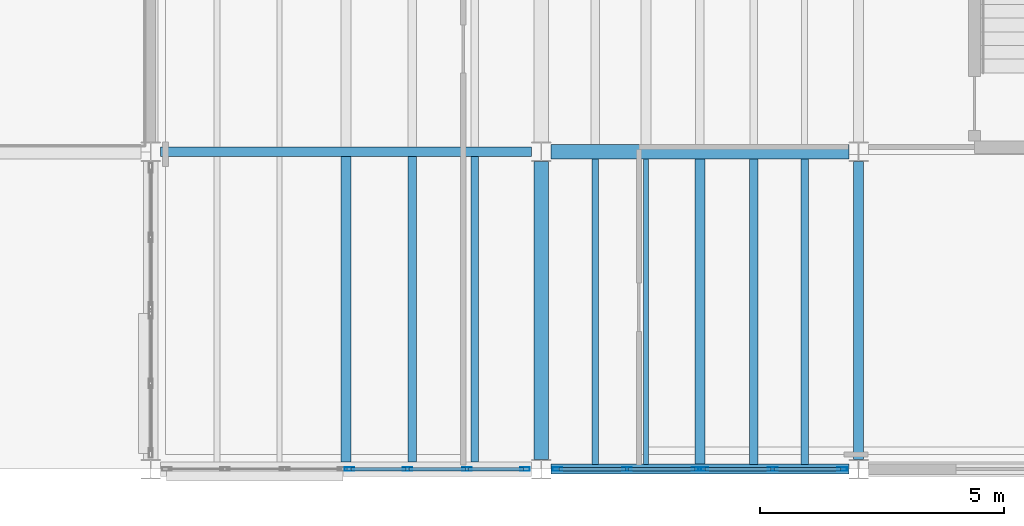
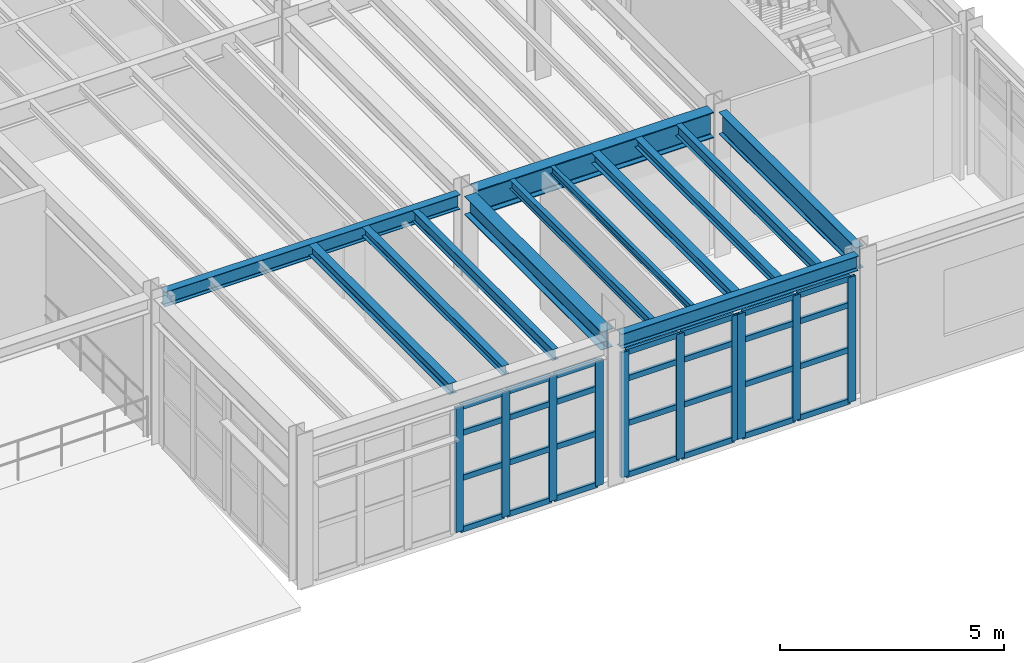
# One storey, part 35 of 78: 38 members, 13 beams, 3 elements without a shape of their own.
"""IFC4 building model written with IfcOpenShell, lengths in metres."""

from ifc_helpers import new_model, si_unit, direction, frame, origin, origin_2d, place, context, subcontext, project, spatial, hollow_rectangle, i_section, extrude, material, material_profile, profile_set, type_object, element, aggregate, save


model = new_model("IFC4")

# Units and contexts
model_context = context("Model", 3, precision=1e-05, world=origin(), true_north=direction((0.0, 1.0)))
body_context = subcontext(model_context, "Body", "Model", "MODEL_VIEW")
ifc_project = project(units=[si_unit("LENGTHUNIT", "METRE"), si_unit("AREAUNIT", "SQUARE_METRE"), si_unit("VOLUMEUNIT", "CUBIC_METRE"), si_unit("PLANEANGLEUNIT", "RADIAN"), si_unit("MASSUNIT", "GRAM", prefix="KILO"), si_unit("THERMODYNAMICTEMPERATUREUNIT", "KELVIN"), si_unit("POWERUNIT", "WATT")], contexts=[model_context])

# Site, building, storey
site_placement = place(None, origin())
site = spatial("IfcSite", under=ifc_project, at=site_placement, CompositionType="ELEMENT")
building_placement = place(site_placement, origin())
building = spatial("IfcBuilding", under=site, at=building_placement, Name="Zhenchuan Central Fire Station", CompositionType="ELEMENT")
storey_placement = place(building_placement, frame((0.0, 0.0, 5.85009765625)))
storey = spatial("IfcBuildingStorey", under=building, at=storey_placement, Name="L02", CompositionType="ELEMENT", Elevation=5.85009765625)

# Beams
ifc_material_1 = material(Name="Steel Q355B", Category="steel")
ifc_material_profile_1 = material_profile(ifc_material_1, i_section(OverallWidth=0.300048828125, OverallDepth=0.5, WebThickness=0.010986328125, FlangeThickness=0.01806640625, FilletRadius=0.02197265625, at=origin_2d()), Name="HM 500x300")
ifc_profile_set_1 = profile_set([ifc_material_profile_1], Name="Steel Q355B")
beam_type_1 = type_object("IfcBeamType", Name="BM-HM500-INT", PredefinedType="BEAM", material=ifc_profile_set_1)
beam_1_placement = place(storey_placement, frame((148.0, 0.199951171875, 3.7099609375), z_axis=(0.0, 1.0, 0.0), x_axis=(-1.0, 0.0, 0.0)))
element("IfcBeam", 1, at=beam_1_placement, inside=storey, type_object=beam_type_1, Name="L03 Girder NS 0325", PredefinedType="BEAM", context=body_context, shape_type="SweptSolid", body=[
    extrude(i_section(OverallWidth=0.300048828125, OverallDepth=0.5, WebThickness=0.010986328125, FlangeThickness=0.01806640625, FilletRadius=0.02197265625, at=origin_2d()), origin(), (0.0, 0.0, 1.0), 6.10009765625),
])
ifc_material_profile_2 = material_profile(ifc_material_1, i_section(OverallWidth=0.199951171875, OverallDepth=0.60009765625, WebThickness=0.010986328125, FlangeThickness=0.01708984375, FilletRadius=0.02197265625, at=origin_2d()), Name="HN 600x200")
ifc_profile_set_2 = profile_set([ifc_material_profile_2], Name="Steel Q355B")
beam_type_2 = type_object("IfcBeamType", Name="BM-HN600-INT", PredefinedType="BEAM", material=ifc_profile_set_2)
beam_2_placement = place(storey_placement, frame((154.5, 0.199951171875, 3.659912109375), z_axis=(0.0, 1.0, 0.0), x_axis=(-1.0, 0.0, 0.0)))
element("IfcBeam", 2, at=beam_2_placement, inside=storey, type_object=beam_type_2, Name="L03 Girder NS 0332", PredefinedType="BEAM", context=body_context, shape_type="SweptSolid", body=[
    extrude(i_section(OverallWidth=0.199951171875, OverallDepth=0.60009765625, WebThickness=0.010986328125, FlangeThickness=0.01708984375, FilletRadius=0.02197265625, at=origin_2d()), origin(), (0.0, 0.0, 1.0), 6.10009765625),
])
ifc_material_profile_3 = material_profile(ifc_material_1, i_section(OverallWidth=0.300048828125, OverallDepth=0.699951171875, WebThickness=0.012939453125, FlangeThickness=0.02392578125, FilletRadius=0.02392578125, at=origin_2d()), Name="HN 700x300")
ifc_profile_set_3 = profile_set([ifc_material_profile_3], Name="Steel Q355B")
beam_type_3 = type_object("IfcBeamType", Name="BM-HN700", PredefinedType="BEAM", material=ifc_profile_set_3)
beam_3_placement = place(storey_placement, frame((148.199951171875, 6.5, 3.60986328125), z_axis=(1.0, 0.0, 0.0), x_axis=(0.0, 1.0, 0.0)))
element("IfcBeam", 3, at=beam_3_placement, inside=storey, type_object=beam_type_3, Name="L03 Girder EW 0206", PredefinedType="BEAM", context=body_context, shape_type="SweptSolid", body=[
    extrude(i_section(OverallWidth=0.300048828125, OverallDepth=0.699951171875, WebThickness=0.012939453125, FlangeThickness=0.02392578125, FilletRadius=0.02392578125, at=origin_2d()), origin(), (0.0, 0.0, 1.0), 6.10009765625),
])

# Curtain wall, members
ifc_material_2 = material(Name="Anodised aluminium and low-E glazing", Category="aluminium")
curtain_wall_type_1 = type_object("IfcCurtainWallType", Name="CW-MOD-04", PredefinedType="USERDEFINED", material=ifc_material_2)
curtain_wall_1_placement = place(storey_placement, origin())
curtain_wall_1 = element("IfcCurtainWall", 4, at=curtain_wall_1_placement, inside=storey, type_object=curtain_wall_type_1, Name="L02 Unitised Curtain Wall 085", ObjectType="UNITISED GLAZING", PredefinedType="USERDEFINED")
ifc_material_3 = material(Name="Anodised aluminium EN AW-6063", Category="aluminium")
ifc_material_profile_4 = material_profile(ifc_material_3, hollow_rectangle(XDim=0.074951171875, YDim=0.199951171875, WallThickness=0.0048828125, at=origin_2d()), Name="ALU-M 200x75")
ifc_profile_set_4 = profile_set([ifc_material_profile_4], Name="Anodised aluminium EN AW-6063")
member_type_1 = type_object("IfcMemberType", Name="CW-MUL160", PredefinedType="MULLION", material=ifc_profile_set_4)
member_1_placement = place(storey_placement, frame((144.070556640625, 0.0, -0.004150390625), z_axis=(0.0, 0.0, 1.0), x_axis=(0.0, 1.0, 0.0)))
member_1 = element("IfcMember", 5, at=member_1_placement, type_object=member_type_1, Name="CW-04 mullion 1", PredefinedType="MULLION", context=body_context, shape_type="SweptSolid", body=[
    extrude(hollow_rectangle(XDim=0.074951171875, YDim=0.199951171875, WallThickness=0.0048828125, at=origin_2d()), origin(), (0.0, 0.0, 1.0), 3.404052734375),
])
member_2_placement = place(storey_placement, frame((145.258544921875, 0.0, -0.004150390625), z_axis=(0.0, 0.0, 1.0), x_axis=(0.0, 1.0, 0.0)))
member_2 = element("IfcMember", 6, at=member_2_placement, type_object=member_type_1, Name="CW-04 mullion 2", PredefinedType="MULLION", context=body_context, shape_type="SweptSolid", body=[
    extrude(hollow_rectangle(XDim=0.074951171875, YDim=0.199951171875, WallThickness=0.0048828125, at=origin_2d()), origin(), (0.0, 0.0, 1.0), 3.404052734375),
])
member_3_placement = place(storey_placement, frame((146.479248046875, 0.0, -0.004150390625), z_axis=(0.0, 0.0, 1.0), x_axis=(0.0, 1.0, 0.0)))
member_3 = element("IfcMember", 7, at=member_3_placement, type_object=member_type_1, Name="CW-04 mullion 3", PredefinedType="MULLION", context=body_context, shape_type="SweptSolid", body=[
    extrude(hollow_rectangle(XDim=0.074951171875, YDim=0.199951171875, WallThickness=0.0048828125, at=origin_2d()), origin(), (0.0, 0.0, 1.0), 3.404052734375),
])
member_4_placement = place(storey_placement, frame((147.66748046875, 0.0, -0.004150390625), z_axis=(0.0, 0.0, 1.0), x_axis=(0.0, 1.0, 0.0)))
member_4 = element("IfcMember", 8, at=member_4_placement, type_object=member_type_1, Name="CW-04 mullion 4", PredefinedType="MULLION", context=body_context, shape_type="SweptSolid", body=[
    extrude(hollow_rectangle(XDim=0.074951171875, YDim=0.199951171875, WallThickness=0.0048828125, at=origin_2d()), origin(), (0.0, 0.0, 1.0), 3.404052734375),
])

curtain_wall_2_placement = place(storey_placement, origin())
curtain_wall_2 = element("IfcCurtainWall", 9, at=curtain_wall_2_placement, inside=storey, type_object=curtain_wall_type_1, Name="L02 Unitised Curtain Wall 086", ObjectType="UNITISED GLAZING", PredefinedType="USERDEFINED")
member_5_placement = place(storey_placement, frame((148.33251953125, 0.0, -0.004150390625), z_axis=(0.0, 0.0, 1.0), x_axis=(0.0, 1.0, 0.0)))
member_5 = element("IfcMember", 10, at=member_5_placement, type_object=member_type_1, Name="CW-04 mullion 1", PredefinedType="MULLION", context=body_context, shape_type="SweptSolid", body=[
    extrude(hollow_rectangle(XDim=0.074951171875, YDim=0.199951171875, WallThickness=0.0048828125, at=origin_2d()), origin(), (0.0, 0.0, 1.0), 3.404052734375),
])
member_6_placement = place(storey_placement, frame((149.756103515625, 0.0, -0.004150390625), z_axis=(0.0, 0.0, 1.0), x_axis=(0.0, 1.0, 0.0)))
member_6 = element("IfcMember", 11, at=member_6_placement, type_object=member_type_1, Name="CW-04 mullion 2", PredefinedType="MULLION", context=body_context, shape_type="SweptSolid", body=[
    extrude(hollow_rectangle(XDim=0.074951171875, YDim=0.199951171875, WallThickness=0.0048828125, at=origin_2d()), origin(), (0.0, 0.0, 1.0), 3.404052734375),
])
member_7_placement = place(storey_placement, frame((151.179443359375, 0.0, -0.004150390625), z_axis=(0.0, 0.0, 1.0), x_axis=(0.0, 1.0, 0.0)))
member_7 = element("IfcMember", 12, at=member_7_placement, type_object=member_type_1, Name="CW-04 mullion 3", PredefinedType="MULLION", context=body_context, shape_type="SweptSolid", body=[
    extrude(hollow_rectangle(XDim=0.074951171875, YDim=0.199951171875, WallThickness=0.0048828125, at=origin_2d()), origin(), (0.0, 0.0, 1.0), 3.404052734375),
])

curtain_wall_type_2 = type_object("IfcCurtainWallType", Name="CW-MOD-05", PredefinedType="USERDEFINED", material=ifc_material_2)
curtain_wall_3_placement = place(storey_placement, origin())
curtain_wall_3 = element("IfcCurtainWall", 13, at=curtain_wall_3_placement, inside=storey, type_object=curtain_wall_type_2, Name="L02 Unitised Curtain Wall 087", ObjectType="UNITISED GLAZING", PredefinedType="USERDEFINED")
member_8_placement = place(storey_placement, frame((151.320556640625, 0.0, -0.004150390625), z_axis=(0.0, 0.0, 1.0), x_axis=(0.0, 1.0, 0.0)))
member_8 = element("IfcMember", 14, at=member_8_placement, type_object=member_type_1, Name="CW-05 mullion 1", PredefinedType="MULLION", context=body_context, shape_type="SweptSolid", body=[
    extrude(hollow_rectangle(XDim=0.074951171875, YDim=0.199951171875, WallThickness=0.0048828125, at=origin_2d()), origin(), (0.0, 0.0, 1.0), 3.404052734375),
])
member_9_placement = place(storey_placement, frame((152.743896484375, 0.0, -0.004150390625), z_axis=(0.0, 0.0, 1.0), x_axis=(0.0, 1.0, 0.0)))
member_9 = element("IfcMember", 15, at=member_9_placement, type_object=member_type_1, Name="CW-05 mullion 2", PredefinedType="MULLION", context=body_context, shape_type="SweptSolid", body=[
    extrude(hollow_rectangle(XDim=0.074951171875, YDim=0.199951171875, WallThickness=0.0048828125, at=origin_2d()), origin(), (0.0, 0.0, 1.0), 3.404052734375),
])
member_10_placement = place(storey_placement, frame((154.16748046875, 0.0, -0.004150390625), z_axis=(0.0, 0.0, 1.0), x_axis=(0.0, 1.0, 0.0)))
member_10 = element("IfcMember", 16, at=member_10_placement, type_object=member_type_1, Name="CW-05 mullion 3", PredefinedType="MULLION", context=body_context, shape_type="SweptSolid", body=[
    extrude(hollow_rectangle(XDim=0.074951171875, YDim=0.199951171875, WallThickness=0.0048828125, at=origin_2d()), origin(), (0.0, 0.0, 1.0), 3.404052734375),
])

# Member
ifc_material_profile_5 = material_profile(ifc_material_3, hollow_rectangle(XDim=0.074951171875, YDim=0.14990234375, WallThickness=0.0048828125, at=origin_2d()), Name="ALU-T 150x75")
ifc_profile_set_5 = profile_set([ifc_material_profile_5], Name="Anodised aluminium EN AW-6063")
member_type_2 = type_object("IfcMemberType", Name="CW-TRN130", PredefinedType="NOTDEFINED", material=ifc_profile_set_5)
member_11_placement = place(storey_placement, frame((144.10302734375, 0.0, 0.0283203125), z_axis=(1.0, 0.0, 0.0), x_axis=(0.0, 1.0, 0.0)))
member_11 = element("IfcMember", 17, at=member_11_placement, type_object=member_type_2, Name="CW-04 transom 1.1", ObjectType="TRANSOM", PredefinedType="USERDEFINED", context=body_context, shape_type="SweptSolid", body=[
    extrude(hollow_rectangle(XDim=0.074951171875, YDim=0.14990234375, WallThickness=0.0048828125, at=origin_2d()), origin(), (0.0, 0.0, 1.0), 1.123046875),
])

member_12_placement = place(storey_placement, frame((144.10302734375, 0.0, 1.427978515625), z_axis=(1.0, 0.0, 0.0), x_axis=(0.0, 1.0, 0.0)))
member_12 = element("IfcMember", 18, at=member_12_placement, type_object=member_type_2, Name="CW-04 transom 1.2", ObjectType="TRANSOM", PredefinedType="USERDEFINED", context=body_context, shape_type="SweptSolid", body=[
    extrude(hollow_rectangle(XDim=0.074951171875, YDim=0.14990234375, WallThickness=0.0048828125, at=origin_2d()), origin(), (0.0, 0.0, 1.0), 1.123046875),
])

member_13_placement = place(storey_placement, frame((144.10302734375, 0.0, 2.65185546875), z_axis=(1.0, 0.0, 0.0), x_axis=(0.0, 1.0, 0.0)))
member_13 = element("IfcMember", 19, at=member_13_placement, type_object=member_type_2, Name="CW-04 transom 1.3", ObjectType="TRANSOM", PredefinedType="USERDEFINED", context=body_context, shape_type="SweptSolid", body=[
    extrude(hollow_rectangle(XDim=0.074951171875, YDim=0.14990234375, WallThickness=0.0048828125, at=origin_2d()), origin(), (0.0, 0.0, 1.0), 1.123046875),
])

member_14_placement = place(storey_placement, frame((144.10302734375, 0.0, 3.367431640625), z_axis=(1.0, 0.0, 0.0), x_axis=(0.0, 1.0, 0.0)))
member_14 = element("IfcMember", 20, at=member_14_placement, type_object=member_type_2, Name="CW-04 transom 1.4", ObjectType="TRANSOM", PredefinedType="USERDEFINED", context=body_context, shape_type="SweptSolid", body=[
    extrude(hollow_rectangle(XDim=0.074951171875, YDim=0.14990234375, WallThickness=0.0048828125, at=origin_2d()), origin(), (0.0, 0.0, 1.0), 1.123046875),
])

member_15_placement = place(storey_placement, frame((145.291259765625, 0.0, 0.0283203125), z_axis=(1.0, 0.0, 0.0), x_axis=(0.0, 1.0, 0.0)))
member_15 = element("IfcMember", 21, at=member_15_placement, type_object=member_type_2, Name="CW-04 transom 2.1", ObjectType="TRANSOM", PredefinedType="USERDEFINED", context=body_context, shape_type="SweptSolid", body=[
    extrude(hollow_rectangle(XDim=0.074951171875, YDim=0.14990234375, WallThickness=0.0048828125, at=origin_2d()), origin(), (0.0, 0.0, 1.0), 1.155517578125),
])

member_16_placement = place(storey_placement, frame((145.291259765625, 0.0, 1.427978515625), z_axis=(1.0, 0.0, 0.0), x_axis=(0.0, 1.0, 0.0)))
member_16 = element("IfcMember", 22, at=member_16_placement, type_object=member_type_2, Name="CW-04 transom 2.2", ObjectType="TRANSOM", PredefinedType="USERDEFINED", context=body_context, shape_type="SweptSolid", body=[
    extrude(hollow_rectangle(XDim=0.074951171875, YDim=0.14990234375, WallThickness=0.0048828125, at=origin_2d()), origin(), (0.0, 0.0, 1.0), 1.155517578125),
])

member_17_placement = place(storey_placement, frame((145.291259765625, 0.0, 2.65185546875), z_axis=(1.0, 0.0, 0.0), x_axis=(0.0, 1.0, 0.0)))
member_17 = element("IfcMember", 23, at=member_17_placement, type_object=member_type_2, Name="CW-04 transom 2.3", ObjectType="TRANSOM", PredefinedType="USERDEFINED", context=body_context, shape_type="SweptSolid", body=[
    extrude(hollow_rectangle(XDim=0.074951171875, YDim=0.14990234375, WallThickness=0.0048828125, at=origin_2d()), origin(), (0.0, 0.0, 1.0), 1.155517578125),
])

member_18_placement = place(storey_placement, frame((145.291259765625, 0.0, 3.367431640625), z_axis=(1.0, 0.0, 0.0), x_axis=(0.0, 1.0, 0.0)))
member_18 = element("IfcMember", 24, at=member_18_placement, type_object=member_type_2, Name="CW-04 transom 2.4", ObjectType="TRANSOM", PredefinedType="USERDEFINED", context=body_context, shape_type="SweptSolid", body=[
    extrude(hollow_rectangle(XDim=0.074951171875, YDim=0.14990234375, WallThickness=0.0048828125, at=origin_2d()), origin(), (0.0, 0.0, 1.0), 1.155517578125),
])

member_19_placement = place(storey_placement, frame((146.51171875, 0.0, 0.0283203125), z_axis=(1.0, 0.0, 0.0), x_axis=(0.0, 1.0, 0.0)))
member_19 = element("IfcMember", 25, at=member_19_placement, type_object=member_type_2, Name="CW-04 transom 3.1", ObjectType="TRANSOM", PredefinedType="USERDEFINED", context=body_context, shape_type="SweptSolid", body=[
    extrude(hollow_rectangle(XDim=0.074951171875, YDim=0.14990234375, WallThickness=0.0048828125, at=origin_2d()), origin(), (0.0, 0.0, 1.0), 1.123291015625),
])

member_20_placement = place(storey_placement, frame((146.51171875, 0.0, 1.427978515625), z_axis=(1.0, 0.0, 0.0), x_axis=(0.0, 1.0, 0.0)))
member_20 = element("IfcMember", 26, at=member_20_placement, type_object=member_type_2, Name="CW-04 transom 3.2", ObjectType="TRANSOM", PredefinedType="USERDEFINED", context=body_context, shape_type="SweptSolid", body=[
    extrude(hollow_rectangle(XDim=0.074951171875, YDim=0.14990234375, WallThickness=0.0048828125, at=origin_2d()), origin(), (0.0, 0.0, 1.0), 1.123291015625),
])

member_21_placement = place(storey_placement, frame((146.51171875, 0.0, 2.65185546875), z_axis=(1.0, 0.0, 0.0), x_axis=(0.0, 1.0, 0.0)))
member_21 = element("IfcMember", 27, at=member_21_placement, type_object=member_type_2, Name="CW-04 transom 3.3", ObjectType="TRANSOM", PredefinedType="USERDEFINED", context=body_context, shape_type="SweptSolid", body=[
    extrude(hollow_rectangle(XDim=0.074951171875, YDim=0.14990234375, WallThickness=0.0048828125, at=origin_2d()), origin(), (0.0, 0.0, 1.0), 1.123291015625),
])

member_22_placement = place(storey_placement, frame((146.51171875, 0.0, 3.367431640625), z_axis=(1.0, 0.0, 0.0), x_axis=(0.0, 1.0, 0.0)))
member_22 = element("IfcMember", 28, at=member_22_placement, type_object=member_type_2, Name="CW-04 transom 3.4", ObjectType="TRANSOM", PredefinedType="USERDEFINED", context=body_context, shape_type="SweptSolid", body=[
    extrude(hollow_rectangle(XDim=0.074951171875, YDim=0.14990234375, WallThickness=0.0048828125, at=origin_2d()), origin(), (0.0, 0.0, 1.0), 1.123291015625),
])

aggregate(curtain_wall_1, [member_1, member_2, member_3, member_4, member_11, member_12, member_13, member_14, member_15, member_16, member_17, member_18, member_19, member_20, member_21, member_22])

member_23_placement = place(storey_placement, frame((148.364990234375, 0.0, 0.0283203125), z_axis=(1.0, 0.0, 0.0), x_axis=(0.0, 1.0, 0.0)))
member_23 = element("IfcMember", 29, at=member_23_placement, type_object=member_type_2, Name="CW-04 transom 1.1", ObjectType="TRANSOM", PredefinedType="USERDEFINED", context=body_context, shape_type="SweptSolid", body=[
    extrude(hollow_rectangle(XDim=0.074951171875, YDim=0.14990234375, WallThickness=0.0048828125, at=origin_2d()), origin(), (0.0, 0.0, 1.0), 1.3583984375),
])

member_24_placement = place(storey_placement, frame((148.364990234375, 0.0, 1.427978515625), z_axis=(1.0, 0.0, 0.0), x_axis=(0.0, 1.0, 0.0)))
member_24 = element("IfcMember", 30, at=member_24_placement, type_object=member_type_2, Name="CW-04 transom 1.2", ObjectType="TRANSOM", PredefinedType="USERDEFINED", context=body_context, shape_type="SweptSolid", body=[
    extrude(hollow_rectangle(XDim=0.074951171875, YDim=0.14990234375, WallThickness=0.0048828125, at=origin_2d()), origin(), (0.0, 0.0, 1.0), 1.3583984375),
])

member_25_placement = place(storey_placement, frame((148.364990234375, 0.0, 2.65185546875), z_axis=(1.0, 0.0, 0.0), x_axis=(0.0, 1.0, 0.0)))
member_25 = element("IfcMember", 31, at=member_25_placement, type_object=member_type_2, Name="CW-04 transom 1.3", ObjectType="TRANSOM", PredefinedType="USERDEFINED", context=body_context, shape_type="SweptSolid", body=[
    extrude(hollow_rectangle(XDim=0.074951171875, YDim=0.14990234375, WallThickness=0.0048828125, at=origin_2d()), origin(), (0.0, 0.0, 1.0), 1.3583984375),
])

member_26_placement = place(storey_placement, frame((148.364990234375, 0.0, 3.367431640625), z_axis=(1.0, 0.0, 0.0), x_axis=(0.0, 1.0, 0.0)))
member_26 = element("IfcMember", 32, at=member_26_placement, type_object=member_type_2, Name="CW-04 transom 1.4", ObjectType="TRANSOM", PredefinedType="USERDEFINED", context=body_context, shape_type="SweptSolid", body=[
    extrude(hollow_rectangle(XDim=0.074951171875, YDim=0.14990234375, WallThickness=0.0048828125, at=origin_2d()), origin(), (0.0, 0.0, 1.0), 1.3583984375),
])

member_27_placement = place(storey_placement, frame((149.78857421875, 0.0, 0.0283203125), z_axis=(1.0, 0.0, 0.0), x_axis=(0.0, 1.0, 0.0)))
member_27 = element("IfcMember", 33, at=member_27_placement, type_object=member_type_2, Name="CW-04 transom 2.1", ObjectType="TRANSOM", PredefinedType="USERDEFINED", context=body_context, shape_type="SweptSolid", body=[
    extrude(hollow_rectangle(XDim=0.074951171875, YDim=0.14990234375, WallThickness=0.0048828125, at=origin_2d()), origin(), (0.0, 0.0, 1.0), 1.3583984375),
])

member_28_placement = place(storey_placement, frame((149.78857421875, 0.0, 1.427978515625), z_axis=(1.0, 0.0, 0.0), x_axis=(0.0, 1.0, 0.0)))
member_28 = element("IfcMember", 34, at=member_28_placement, type_object=member_type_2, Name="CW-04 transom 2.2", ObjectType="TRANSOM", PredefinedType="USERDEFINED", context=body_context, shape_type="SweptSolid", body=[
    extrude(hollow_rectangle(XDim=0.074951171875, YDim=0.14990234375, WallThickness=0.0048828125, at=origin_2d()), origin(), (0.0, 0.0, 1.0), 1.3583984375),
])

member_29_placement = place(storey_placement, frame((149.78857421875, 0.0, 2.65185546875), z_axis=(1.0, 0.0, 0.0), x_axis=(0.0, 1.0, 0.0)))
member_29 = element("IfcMember", 35, at=member_29_placement, type_object=member_type_2, Name="CW-04 transom 2.3", ObjectType="TRANSOM", PredefinedType="USERDEFINED", context=body_context, shape_type="SweptSolid", body=[
    extrude(hollow_rectangle(XDim=0.074951171875, YDim=0.14990234375, WallThickness=0.0048828125, at=origin_2d()), origin(), (0.0, 0.0, 1.0), 1.3583984375),
])

member_30_placement = place(storey_placement, frame((149.78857421875, 0.0, 3.367431640625), z_axis=(1.0, 0.0, 0.0), x_axis=(0.0, 1.0, 0.0)))
member_30 = element("IfcMember", 36, at=member_30_placement, type_object=member_type_2, Name="CW-04 transom 2.4", ObjectType="TRANSOM", PredefinedType="USERDEFINED", context=body_context, shape_type="SweptSolid", body=[
    extrude(hollow_rectangle(XDim=0.074951171875, YDim=0.14990234375, WallThickness=0.0048828125, at=origin_2d()), origin(), (0.0, 0.0, 1.0), 1.3583984375),
])

aggregate(curtain_wall_2, [member_5, member_6, member_7, member_23, member_24, member_25, member_26, member_27, member_28, member_29, member_30])

member_31_placement = place(storey_placement, frame((151.35302734375, 0.0, 0.0283203125), z_axis=(1.0, 0.0, 0.0), x_axis=(0.0, 1.0, 0.0)))
member_31 = element("IfcMember", 37, at=member_31_placement, type_object=member_type_2, Name="CW-05 transom 1.1", ObjectType="TRANSOM", PredefinedType="USERDEFINED", context=body_context, shape_type="SweptSolid", body=[
    extrude(hollow_rectangle(XDim=0.074951171875, YDim=0.14990234375, WallThickness=0.0048828125, at=origin_2d()), origin(), (0.0, 0.0, 1.0), 1.3583984375),
])

member_32_placement = place(storey_placement, frame((151.35302734375, 0.0, 1.427978515625), z_axis=(1.0, 0.0, 0.0), x_axis=(0.0, 1.0, 0.0)))
member_32 = element("IfcMember", 38, at=member_32_placement, type_object=member_type_2, Name="CW-05 transom 1.2", ObjectType="TRANSOM", PredefinedType="USERDEFINED", context=body_context, shape_type="SweptSolid", body=[
    extrude(hollow_rectangle(XDim=0.074951171875, YDim=0.14990234375, WallThickness=0.0048828125, at=origin_2d()), origin(), (0.0, 0.0, 1.0), 1.3583984375),
])

member_33_placement = place(storey_placement, frame((151.35302734375, 0.0, 2.65185546875), z_axis=(1.0, 0.0, 0.0), x_axis=(0.0, 1.0, 0.0)))
member_33 = element("IfcMember", 39, at=member_33_placement, type_object=member_type_2, Name="CW-05 transom 1.3", ObjectType="TRANSOM", PredefinedType="USERDEFINED", context=body_context, shape_type="SweptSolid", body=[
    extrude(hollow_rectangle(XDim=0.074951171875, YDim=0.14990234375, WallThickness=0.0048828125, at=origin_2d()), origin(), (0.0, 0.0, 1.0), 1.3583984375),
])

member_34_placement = place(storey_placement, frame((151.35302734375, 0.0, 3.367431640625), z_axis=(1.0, 0.0, 0.0), x_axis=(0.0, 1.0, 0.0)))
member_34 = element("IfcMember", 40, at=member_34_placement, type_object=member_type_2, Name="CW-05 transom 1.4", ObjectType="TRANSOM", PredefinedType="USERDEFINED", context=body_context, shape_type="SweptSolid", body=[
    extrude(hollow_rectangle(XDim=0.074951171875, YDim=0.14990234375, WallThickness=0.0048828125, at=origin_2d()), origin(), (0.0, 0.0, 1.0), 1.3583984375),
])

member_35_placement = place(storey_placement, frame((152.776611328125, 0.0, 0.0283203125), z_axis=(1.0, 0.0, 0.0), x_axis=(0.0, 1.0, 0.0)))
member_35 = element("IfcMember", 41, at=member_35_placement, type_object=member_type_2, Name="CW-05 transom 2.1", ObjectType="TRANSOM", PredefinedType="USERDEFINED", context=body_context, shape_type="SweptSolid", body=[
    extrude(hollow_rectangle(XDim=0.074951171875, YDim=0.14990234375, WallThickness=0.0048828125, at=origin_2d()), origin(), (0.0, 0.0, 1.0), 1.3583984375),
])

member_36_placement = place(storey_placement, frame((152.776611328125, 0.0, 1.427978515625), z_axis=(1.0, 0.0, 0.0), x_axis=(0.0, 1.0, 0.0)))
member_36 = element("IfcMember", 42, at=member_36_placement, type_object=member_type_2, Name="CW-05 transom 2.2", ObjectType="TRANSOM", PredefinedType="USERDEFINED", context=body_context, shape_type="SweptSolid", body=[
    extrude(hollow_rectangle(XDim=0.074951171875, YDim=0.14990234375, WallThickness=0.0048828125, at=origin_2d()), origin(), (0.0, 0.0, 1.0), 1.3583984375),
])

member_37_placement = place(storey_placement, frame((152.776611328125, 0.0, 2.65185546875), z_axis=(1.0, 0.0, 0.0), x_axis=(0.0, 1.0, 0.0)))
member_37 = element("IfcMember", 43, at=member_37_placement, type_object=member_type_2, Name="CW-05 transom 2.3", ObjectType="TRANSOM", PredefinedType="USERDEFINED", context=body_context, shape_type="SweptSolid", body=[
    extrude(hollow_rectangle(XDim=0.074951171875, YDim=0.14990234375, WallThickness=0.0048828125, at=origin_2d()), origin(), (0.0, 0.0, 1.0), 1.3583984375),
])

member_38_placement = place(storey_placement, frame((152.776611328125, 0.0, 3.367431640625), z_axis=(1.0, 0.0, 0.0), x_axis=(0.0, 1.0, 0.0)))
member_38 = element("IfcMember", 44, at=member_38_placement, type_object=member_type_2, Name="CW-05 transom 2.4", ObjectType="TRANSOM", PredefinedType="USERDEFINED", context=body_context, shape_type="SweptSolid", body=[
    extrude(hollow_rectangle(XDim=0.074951171875, YDim=0.14990234375, WallThickness=0.0048828125, at=origin_2d()), origin(), (0.0, 0.0, 1.0), 1.3583984375),
])

aggregate(curtain_wall_3, [member_8, member_9, member_10, member_31, member_32, member_33, member_34, member_35, member_36, member_37, member_38])

# Beams
ifc_material_profile_6 = material_profile(ifc_material_1, i_section(OverallWidth=0.175048828125, OverallDepth=0.243896484375, WebThickness=0.007080078125, FlangeThickness=0.010986328125, FilletRadius=0.012939453125, at=origin_2d()), Name="HM 244x175")
ifc_profile_set_6 = profile_set([ifc_material_profile_6], Name="Steel Q355B")
beam_type_4 = type_object("IfcBeamType", Name="JS-HM244", PredefinedType="JOIST", material=ifc_profile_set_6)
for number, where, z_axis, x_axis, name in (
    (45, (145.360107421875, 0.14697265625, 3.837890625), (0.0, 1.0, 0.0), (-1.0, 0.0, 0.0), "L03 Secondary Joist 0320"),
    (46, (152.35498046875, 0.096923828125, 3.837890625), (0.0, 1.0, 0.0), (-1.0, 0.0, 0.0), "L03 Secondary Joist 0325"),
):
    element("IfcBeam", number, at=place(storey_placement, frame(where, z_axis=z_axis, x_axis=x_axis)), inside=storey, type_object=beam_type_4, Name=name, PredefinedType="JOIST", context=body_context, shape_type="SweptSolid", body=[
        extrude(i_section(OverallWidth=0.175048828125, OverallDepth=0.243896484375, WebThickness=0.007080078125, FlangeThickness=0.010986328125, FilletRadius=0.012939453125, at=origin_2d()), origin(), (0.0, 0.0, 1.0), 6.256103515625),
    ])
ifc_material_profile_7 = material_profile(ifc_material_1, i_section(OverallWidth=0.199951171875, OverallDepth=0.2939453125, WebThickness=0.008056640625, FlangeThickness=0.011962890625, FilletRadius=0.01611328125, at=origin_2d()), Name="HM 294x200")
ifc_profile_set_7 = profile_set([ifc_material_profile_7], Name="Steel Q355B")
beam_type_5 = type_object("IfcBeamType", Name="JS-HM294", PredefinedType="JOIST", material=ifc_profile_set_7)
for number, where, z_axis, x_axis, name in (
    (47, (144.0, 0.14697265625, 3.81298828125), (0.0, 1.0, 0.0), (-1.0, 0.0, 0.0), "L03 Secondary Joist 0319"),
    (48, (151.25, 0.096923828125, 3.81298828125), (0.0, 1.0, 0.0), (-1.0, 0.0, 0.0), "L03 Secondary Joist 0324"),
):
    element("IfcBeam", number, at=place(storey_placement, frame(where, z_axis=z_axis, x_axis=x_axis)), inside=storey, type_object=beam_type_5, Name=name, PredefinedType="JOIST", context=body_context, shape_type="SweptSolid", body=[
        extrude(i_section(OverallWidth=0.199951171875, OverallDepth=0.2939453125, WebThickness=0.008056640625, FlangeThickness=0.011962890625, FilletRadius=0.01611328125, at=origin_2d()), origin(), (0.0, 0.0, 1.0), 6.256103515625),
    ])
ifc_material_profile_8 = material_profile(ifc_material_1, i_section(OverallWidth=0.10009765625, OverallDepth=0.199951171875, WebThickness=0.005615234375, FlangeThickness=0.008056640625, FilletRadius=0.010986328125, at=origin_2d()), Name="HN 200x100")
ifc_profile_set_8 = profile_set([ifc_material_profile_8], Name="Steel Q355B")
beam_type_6 = type_object("IfcBeamType", Name="JS-HN200", PredefinedType="JOIST", material=ifc_profile_set_8)
beam_4_placement = place(storey_placement, frame((150.14501953125, 0.096923828125, 3.85986328125), z_axis=(0.0, 1.0, 0.0), x_axis=(-1.0, 0.0, 0.0)))
element("IfcBeam", 49, at=beam_4_placement, inside=storey, type_object=beam_type_6, Name="L03 Secondary Joist 0323", PredefinedType="JOIST", context=body_context, shape_type="SweptSolid", body=[
    extrude(i_section(OverallWidth=0.10009765625, OverallDepth=0.199951171875, WebThickness=0.005615234375, FlangeThickness=0.008056640625, FilletRadius=0.010986328125, at=origin_2d()), origin(), (0.0, 0.0, 1.0), 6.256103515625),
])
ifc_material_profile_9 = material_profile(ifc_material_1, i_section(OverallWidth=0.125, OverallDepth=0.25, WebThickness=0.006103515625, FlangeThickness=0.009033203125, FilletRadius=0.011962890625, at=origin_2d()), Name="HN 250x125")
ifc_profile_set_9 = profile_set([ifc_material_profile_9], Name="Steel Q355B")
beam_type_7 = type_object("IfcBeamType", Name="JS-HN250", PredefinedType="JOIST", material=ifc_profile_set_9)
beam_5_placement = place(storey_placement, frame((149.10498046875, 0.096923828125, 3.8349609375), z_axis=(0.0, 1.0, 0.0), x_axis=(-1.0, 0.0, 0.0)))
element("IfcBeam", 50, at=beam_5_placement, inside=storey, type_object=beam_type_7, Name="L03 Secondary Joist 0322", PredefinedType="JOIST", context=body_context, shape_type="SweptSolid", body=[
    extrude(i_section(OverallWidth=0.125, OverallDepth=0.25, WebThickness=0.006103515625, FlangeThickness=0.009033203125, FilletRadius=0.011962890625, at=origin_2d()), origin(), (0.0, 0.0, 1.0), 6.256103515625),
])
ifc_material_profile_10 = material_profile(ifc_material_1, i_section(OverallWidth=0.14990234375, OverallDepth=0.300048828125, WebThickness=0.006591796875, FlangeThickness=0.009033203125, FilletRadius=0.012939453125, at=origin_2d()), Name="HN 300x150")
ifc_profile_set_10 = profile_set([ifc_material_profile_10], Name="Steel Q355B")
beam_type_8 = type_object("IfcBeamType", Name="JS-HN300", PredefinedType="JOIST", material=ifc_profile_set_10)
for number, where, z_axis, x_axis, name in (
    (51, (146.639892578125, 0.14697265625, 3.809814453125), (0.0, 1.0, 0.0), (-1.0, 0.0, 0.0), "L03 Secondary Joist 0321"),
    (52, (153.39501953125, 0.096923828125, 3.809814453125), (0.0, 1.0, 0.0), (-1.0, 0.0, 0.0), "L03 Secondary Joist 0326"),
):
    element("IfcBeam", number, at=place(storey_placement, frame(where, z_axis=z_axis, x_axis=x_axis)), inside=storey, type_object=beam_type_8, Name=name, PredefinedType="JOIST", context=body_context, shape_type="SweptSolid", body=[
        extrude(i_section(OverallWidth=0.14990234375, OverallDepth=0.300048828125, WebThickness=0.006591796875, FlangeThickness=0.009033203125, FilletRadius=0.012939453125, at=origin_2d()), origin(), (0.0, 0.0, 1.0), 6.256103515625),
    ])
ifc_material_profile_11 = material_profile(ifc_material_1, i_section(OverallWidth=0.199951171875, OverallDepth=0.39990234375, WebThickness=0.008056640625, FlangeThickness=0.012939453125, FilletRadius=0.01611328125, at=origin_2d()), Name="HN 400x200")
ifc_profile_set_11 = profile_set([ifc_material_profile_11], Name="Steel Q355B")
beam_type_9 = type_object("IfcBeamType", Name="SP-HN400", PredefinedType="SPANDREL", material=ifc_profile_set_11)
beam_6_placement = place(storey_placement, frame((148.199951171875, 0.0, 3.760009765625), z_axis=(1.0, 0.0, 0.0), x_axis=(0.0, 1.0, 0.0)))
element("IfcBeam", 53, at=beam_6_placement, inside=storey, type_object=beam_type_9, Name="L03 Girder EW 0189", PredefinedType="SPANDREL", context=body_context, shape_type="SweptSolid", body=[
    extrude(i_section(OverallWidth=0.199951171875, OverallDepth=0.39990234375, WebThickness=0.008056640625, FlangeThickness=0.012939453125, FilletRadius=0.01611328125, at=origin_2d()), origin(), (0.0, 0.0, 1.0), 6.10009765625),
])
ifc_material_profile_12 = material_profile(ifc_material_1, i_section(OverallWidth=0.199951171875, OverallDepth=0.39990234375, WebThickness=0.008056640625, FlangeThickness=0.012939453125, FilletRadius=0.01611328125, at=origin_2d()), Name="HN 400x200")
ifc_profile_set_12 = profile_set([ifc_material_profile_12], Name="Steel Q355B")
beam_type_10 = type_object("IfcBeamType", Name="SP-HN400-INT", PredefinedType="SPANDREL", material=ifc_profile_set_12)
beam_7_placement = place(storey_placement, frame((140.199951171875, 6.5, 3.760009765625), z_axis=(1.0, 0.0, 0.0), x_axis=(0.0, 1.0, 0.0)))
element("IfcBeam", 54, at=beam_7_placement, inside=storey, type_object=beam_type_10, Name="L03 Girder EW 0205", PredefinedType="SPANDREL", context=body_context, shape_type="SweptSolid", body=[
    extrude(i_section(OverallWidth=0.199951171875, OverallDepth=0.39990234375, WebThickness=0.008056640625, FlangeThickness=0.012939453125, FilletRadius=0.01611328125, at=origin_2d()), origin(), (0.0, 0.0, 1.0), 7.60009765625),
])

save(model, "model.ifc")
